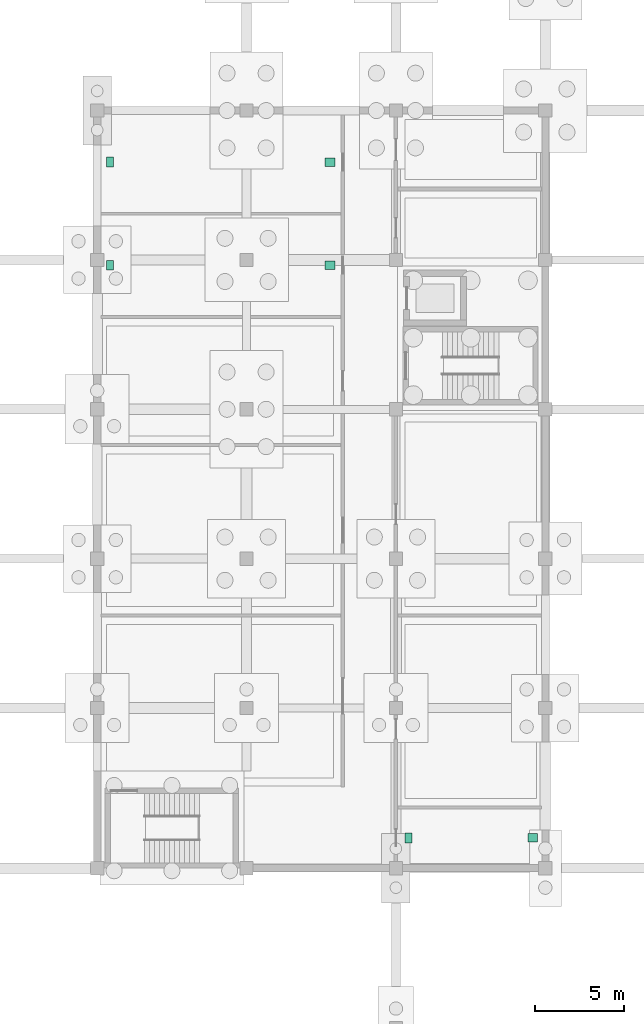
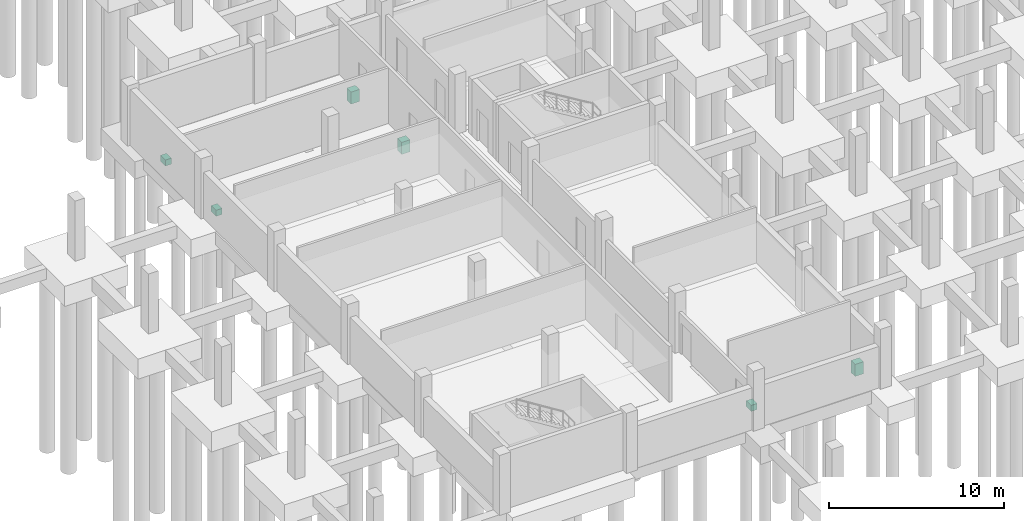
# One storey, part 19 of 20: 6 sanitary terminals.
"""IFC4 building model written with IfcOpenShell, lengths in metres."""

from ifc_helpers import new_model, si_unit, direction, frame, origin, origin_2d, place, context, subcontext, project, spatial, rectangle, extrude, material, type_object, element, save


model = new_model("IFC4")

# Units and contexts
model_context = context("Model", 3, precision=1e-05, world=origin(), true_north=direction((0.0, 1.0)))
body_context = subcontext(model_context, "Body", "Model", "MODEL_VIEW")
ifc_project = project(units=[si_unit("LENGTHUNIT", "METRE"), si_unit("AREAUNIT", "SQUARE_METRE"), si_unit("VOLUMEUNIT", "CUBIC_METRE"), si_unit("PLANEANGLEUNIT", "RADIAN"), si_unit("MASSUNIT", "GRAM", prefix="KILO")], contexts=[model_context])

# Site, building, storey
site_placement = place(None, origin())
site = spatial("IfcSite", under=ifc_project, at=site_placement, CompositionType="ELEMENT")
building_placement = place(site_placement, origin())
building = spatial("IfcBuilding", under=site, at=building_placement, Name="Vireocrest Preparatory School", CompositionType="ELEMENT")
storey_placement = place(building_placement, frame((0.0, 0.0, -4.199951171875)))
storey = spatial("IfcBuildingStorey", under=building, at=storey_placement, Name="B01", CompositionType="ELEMENT", Elevation=-4.199951171875)

# Sanitary terminals
ifc_material = material(Name="Vitreous china sanitaryware")
sanitary_terminal_type_1 = type_object("IfcSanitaryTerminalType", Name="Accessible Ceramic Washbasin", PredefinedType="WASHHANDBASIN", material=ifc_material)
for number, where, z_axis, x_axis, name in (
    (1, (46.68994140625, 51.89990234375, 0.0), (0.0, 0.0, 1.0), (1.0, 0.0, 0.0), "Accessible Washbasin B01-WW04"),
    (2, (46.68994140625, 57.699951171875, 0.0), (0.0, 0.0, 1.0), (1.0, 0.0, 0.0), "Accessible Washbasin B01-WW05"),
    (3, (58.090087890625, 19.699951171875, 0.0), (0.0, 0.0, 1.0), (1.0, 0.0, 0.0), "Accessible Washbasin B01-WE01"),
):
    element("IfcSanitaryTerminal", number, at=place(storey_placement, frame(where, z_axis=z_axis, x_axis=x_axis)), inside=storey, type_object=sanitary_terminal_type_1, Name=name, PredefinedType="WASHHANDBASIN", context=body_context, shape_type="SweptSolid", body=[
        extrude(rectangle(XDim=0.550048828125, YDim=0.47998046875, at=origin_2d()), origin(), (0.0, 0.0, 1.0), 0.840087890625),
    ])
sanitary_terminal_type_2 = type_object("IfcSanitaryTerminalType", Name="Wall-Hung Vitreous China WC Pan", PredefinedType="TOILETPAN", material=ifc_material)
for number, where, z_axis, x_axis, name in (
    (4, (34.31005859375, 51.89990234375, 0.0), (0.0, 0.0, 1.0), (1.0, 0.0, 0.0), "WC Pan B01-WW04"),
    (5, (34.31005859375, 57.699951171875, 0.0), (0.0, 0.0, 1.0), (1.0, 0.0, 0.0), "WC Pan B01-WW05"),
    (6, (51.110107421875, 19.699951171875, 0.0), (0.0, 0.0, 1.0), (1.0, 0.0, 0.0), "WC Pan B01-WE01"),
):
    element("IfcSanitaryTerminal", number, at=place(storey_placement, frame(where, z_axis=z_axis, x_axis=x_axis)), inside=storey, type_object=sanitary_terminal_type_2, Name=name, PredefinedType="TOILETPAN", context=body_context, shape_type="SweptSolid", body=[
        extrude(rectangle(XDim=0.39990234375, YDim=0.56005859375, at=origin_2d()), origin(), (0.0, 0.0, 1.0), 0.419921875),
    ])

save(model, "model.ifc")
